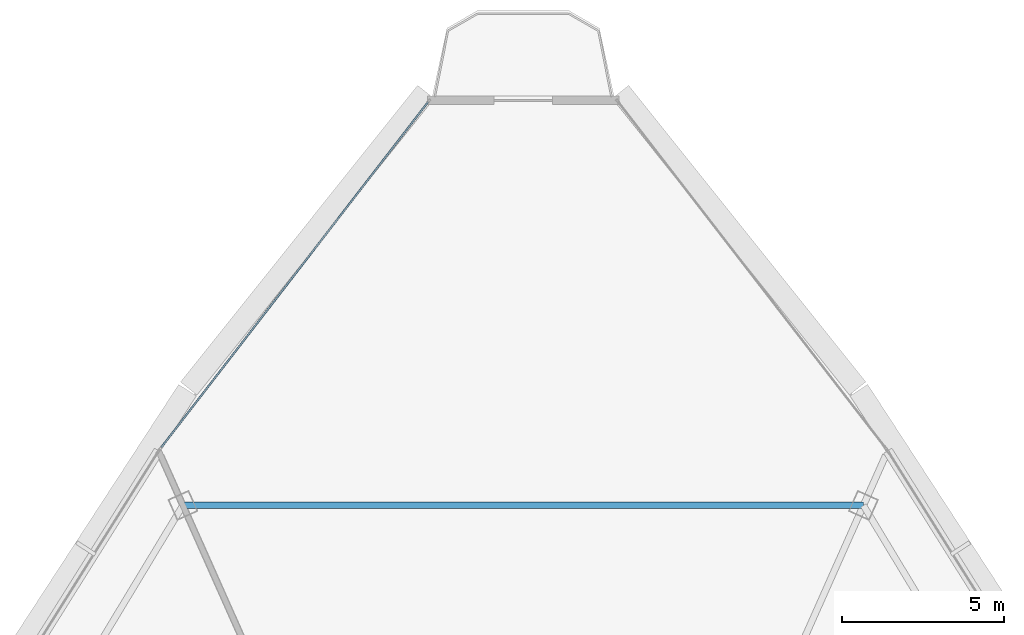
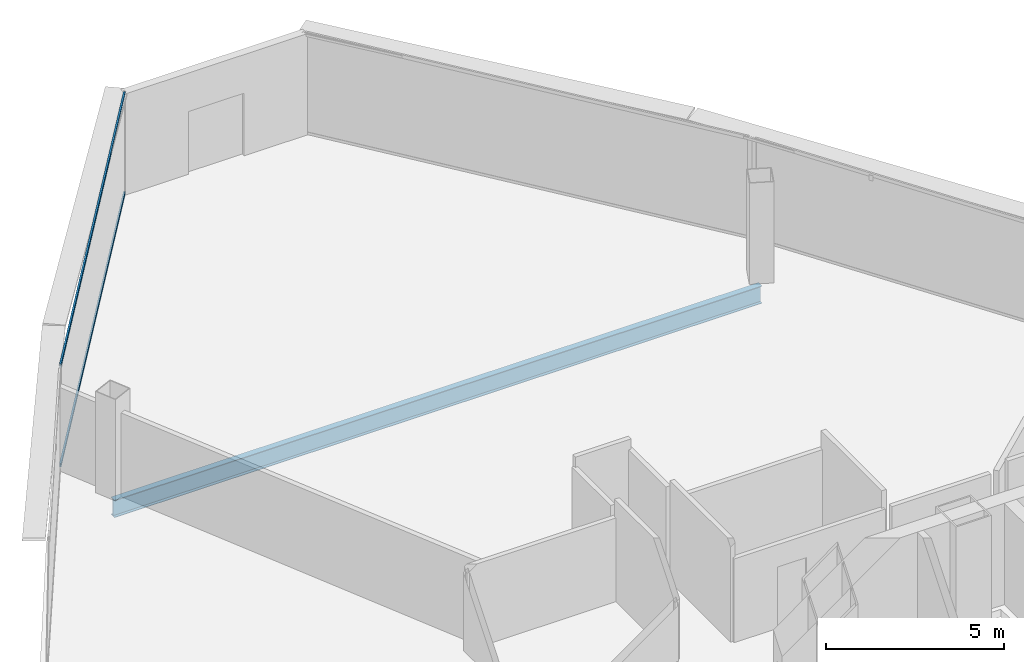
# One storey, part 17 of 29: 2 members, 1 beam, 1 element without a shape of its own.
"""IFC4 building model written with IfcOpenShell, lengths in metres."""

from ifc_helpers import new_model, si_unit, direction, frame, origin, origin_2d, place, context, subcontext, project, spatial, hollow_rectangle, i_section, extrude, source, transform, mapped, material, layer, layer_set, material_profile, profile_set, type_object, element, aggregate, save


model = new_model("IFC4")

# Units and contexts
model_context = context("Model", 3, precision=1e-05, world=origin(), true_north=direction((0.0, 1.0)))
body_context = subcontext(model_context, "Body", "Model", "MODEL_VIEW")
ifc_project = project(units=[si_unit("LENGTHUNIT", "METRE"), si_unit("AREAUNIT", "SQUARE_METRE"), si_unit("VOLUMEUNIT", "CUBIC_METRE"), si_unit("PLANEANGLEUNIT", "RADIAN"), si_unit("MASSUNIT", "GRAM", prefix="KILO"), si_unit("THERMODYNAMICTEMPERATUREUNIT", "KELVIN"), si_unit("POWERUNIT", "WATT")], contexts=[model_context])

# Site, building, storey
site_placement = place(None, origin())
site = spatial("IfcSite", under=ifc_project, at=site_placement, CompositionType="ELEMENT")
building_placement = place(site_placement, origin())
building = spatial("IfcBuilding", under=site, at=building_placement, Name="Yunzhuo Pagoda Commons", CompositionType="ELEMENT")
storey_placement = place(building_placement, frame((0.0, 0.0, 363.010009765625)))
storey = spatial("IfcBuildingStorey", under=building, at=storey_placement, Name="L91", CompositionType="ELEMENT", Elevation=363.010009765625)

# Beam
ifc_material_1 = material(Name="Structural steel Q355B", Category="steel")
ifc_material_profile_1 = material_profile(ifc_material_1, i_section(OverallWidth=0.199951171875, OverallDepth=0.60009765625, WebThickness=0.010986328125, FlangeThickness=0.01708984375, at=origin_2d()), Name="Structural steel Q355B")
ifc_profile_set_1 = profile_set([ifc_material_profile_1], Name="Structural steel Q355B")
beam_type = type_object("IfcBeamType", Name="B-RG3 Beam HN 600x200x11x17", PredefinedType="BEAM", material=ifc_profile_set_1)
shared_shape_1 = source(origin(), body_context, "Body", "SweptSolid", [
    extrude(i_section(OverallWidth=0.199951171875, OverallDepth=0.60009765625, WebThickness=0.010986328125, FlangeThickness=0.01708984375, at=origin_2d()), origin(), (0.0, 0.0, 1.0), 20.99755859375),
])
beam_placement = place(storey_placement, frame((58.498779296875, 57.281005859375, -0.56005859375), z_axis=(-1.0, 0.0, 0.0), x_axis=(0.0, -1.0, 0.0)))
element("IfcBeam", 1, at=beam_placement, inside=storey, type_object=beam_type, Name="L91 column-ring beam 8", PredefinedType="BEAM", context=body_context, shape_type="MappedRepresentation", body=[
    mapped(shared_shape_1, transform((0.0, 0.0, 0.0), scale=1.0)),
])

# Curtain wall, members
ifc_material_2 = material(Name="Anodized aluminium 6063-T6", Category="aluminium")
ifc_layer = layer(ifc_material_2, 0.139892578125)
ifc_layer_set = layer_set([ifc_layer], Name="Anodized aluminium 6063-T6")
curtain_wall_type = type_object("IfcCurtainWallType", Name="CW-HI High-Zone Ribbon Curtain Wall", PredefinedType="NOTDEFINED", material=ifc_layer_set)
curtain_wall_placement = place(storey_placement, origin())
curtain_wall = element("IfcCurtainWall", 2, at=curtain_wall_placement, inside=storey, type_object=curtain_wall_type, Name="L91 curtain wall CW-L91-F3B1", PredefinedType="NOTDEFINED")
ifc_material_profile_2 = material_profile(ifc_material_2, hollow_rectangle(XDim=0.054931640625, YDim=0.1201171875, WallThickness=0.00341796875, at=origin_2d()), Name="Anodized aluminium 6063-T6")
ifc_profile_set_2 = profile_set([ifc_material_profile_2], Name="Anodized aluminium 6063-T6")
member_type = type_object("IfcMemberType", Name="CW-HI-T Transom RHS 120x55x3.5", PredefinedType="USERDEFINED", material=ifc_profile_set_2)
shared_shape_2 = source(origin(), body_context, "Body", "SweptSolid", [
    extrude(hollow_rectangle(XDim=0.054931640625, YDim=0.1201171875, WallThickness=0.00341796875, at=origin_2d()), origin(), (0.0, 0.0, 1.0), 13.46630859375),
])
member_1_placement = place(storey_placement, frame((45.06640625, 69.72900390625, 0.027587890625), z_axis=(-0.611370616894, -0.791344405931, 0.0), x_axis=(0.791344405931, -0.611370616894, 0.0)))
member_1 = element("IfcMember", 3, at=member_1_placement, type_object=member_type, Name="CW transom 1.1", ObjectType="TRANSOM", PredefinedType="USERDEFINED", context=body_context, shape_type="MappedRepresentation", body=[
    mapped(shared_shape_2, transform((0.0, 0.0, 0.0), scale=1.0)),
])
member_2_placement = place(storey_placement, frame((45.06640625, 69.72900390625, 3.4423828125), z_axis=(-0.611370616894, -0.791344405931, 0.0), x_axis=(0.791344405931, -0.611370616894, 0.0)))
member_2 = element("IfcMember", 4, at=member_2_placement, type_object=member_type, Name="CW transom 1.2", ObjectType="TRANSOM", PredefinedType="USERDEFINED", context=body_context, shape_type="MappedRepresentation", body=[
    mapped(shared_shape_2, transform((0.0, 0.0, 0.0), scale=1.0)),
])
aggregate(curtain_wall, [member_1, member_2])

save(model, "model.ifc")
